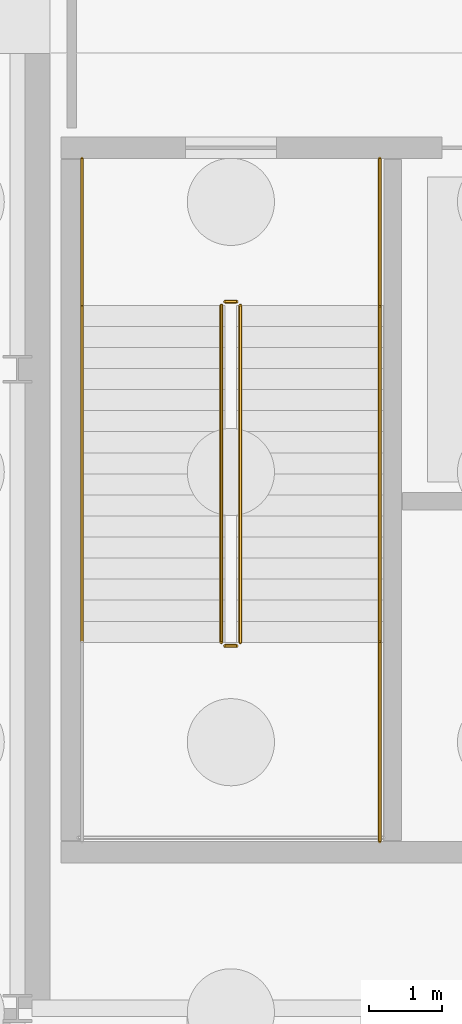
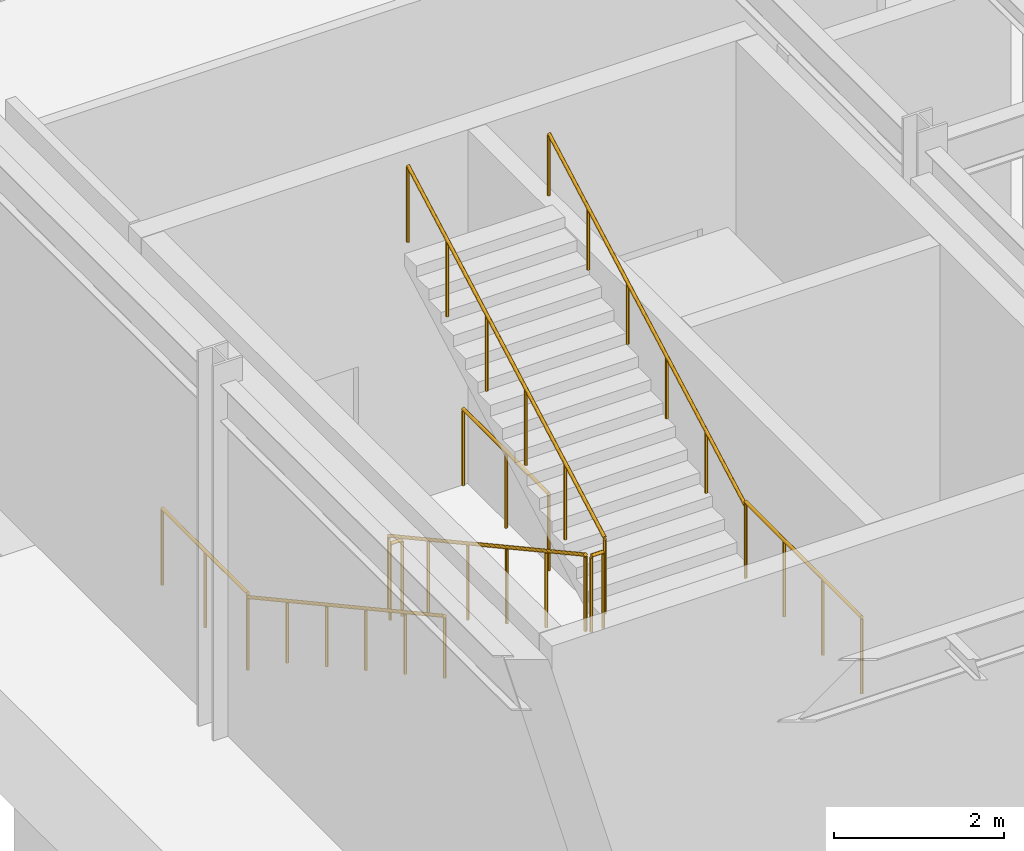
# One storey, part 40 of 48: 9 railings.
"""IFC4 building model written with IfcOpenShell, lengths in metres."""

from ifc_helpers import new_model, si_unit, direction, frame, origin, origin_2d, place, context, subcontext, project, spatial, circle, extrude, material, layer, layer_set, type_object, element, save


model = new_model("IFC4")

# Units and contexts
model_context = context("Model", 3, precision=1e-05, world=origin(), true_north=direction((0.0, 1.0)))
body_context = subcontext(model_context, "Body", "Model", "MODEL_VIEW")
ifc_project = project(units=[si_unit("LENGTHUNIT", "METRE"), si_unit("AREAUNIT", "SQUARE_METRE"), si_unit("VOLUMEUNIT", "CUBIC_METRE"), si_unit("PLANEANGLEUNIT", "RADIAN"), si_unit("MASSUNIT", "GRAM", prefix="KILO")], contexts=[model_context])

# Site, building, storey
site_placement = place(None, origin())
site = spatial("IfcSite", under=ifc_project, at=site_placement, CompositionType="ELEMENT")
building_placement = place(site_placement, origin())
building = spatial("IfcBuilding", under=site, at=building_placement, Name="Sarnbrook Museum", CompositionType="ELEMENT")
storey_placement = place(building_placement, frame((0.0, 0.0, -5.39990234375)))
storey = spatial("IfcBuildingStorey", under=building, at=storey_placement, Name="B1", CompositionType="ELEMENT", Elevation=-5.39990234375)

# Railings
ifc_material = material(Name="Brushed Stainless Steel Grade 316", Category="steel")
ifc_layer_1 = layer(ifc_material, 0.050048828125)
ifc_layer_set_1 = layer_set([ifc_layer_1], Name="Brushed Stainless Steel Grade 316")
railing_type_1 = type_object("IfcRailingType", Name="Guard_Int1120", PredefinedType="BALUSTRADE", material=ifc_layer_set_1)
railing_1_placement = place(storey_placement, frame((16.409912109375, 48.8798828125, 0.15869140625)))
element("IfcRailing", 1, at=railing_1_placement, inside=storey, type_object=railing_type_1, Name="B1 ST5 stair guard 1", PredefinedType="BALUSTRADE", context=body_context, shape_type="SweptSolid", body=[
    extrude(circle(Radius=0.02392578125, at=origin_2d()), frame((0.0, 0.0, 1.09619140625), z_axis=(0.0, -0.877067103421, 0.480367875796), x_axis=(1.0, 0.0, 0.0)), (0.0, 0.0, 1.0), 5.290283203125),
    extrude(circle(Radius=0.02099609375, at=origin_2d()), origin(), (0.0, 0.0, 1.0), 1.072021484375),
    extrude(circle(Radius=0.02099609375, at=origin_2d()), frame((0.0, -0.927978515625, 0.50830078125)), (0.0, 0.0, 1.0), 1.072021484375),
    extrude(circle(Radius=0.02099609375, at=origin_2d()), frame((0.0, -1.85595703125, 1.0166015625)), (0.0, 0.0, 1.0), 1.072021484375),
    extrude(circle(Radius=0.02099609375, at=origin_2d()), frame((0.0, -2.783935546875, 1.524658203125)), (0.0, 0.0, 1.0), 1.072021484375),
    extrude(circle(Radius=0.02099609375, at=origin_2d()), frame((0.0, -3.7119140625, 2.032958984375)), (0.0, 0.0, 1.0), 1.072021484375),
    extrude(circle(Radius=0.02099609375, at=origin_2d()), frame((0.0, -4.639892578125, 2.541259765625)), (0.0, 0.0, 1.0), 1.072021484375),
])
railing_2_placement = place(storey_placement, frame((16.4599609375, 44.18994140625, 2.699951171875)))
element("IfcRailing", 2, at=railing_2_placement, inside=storey, type_object=railing_type_1, Name="B1 ST5 stair guard 2", PredefinedType="BALUSTRADE", context=body_context, shape_type="SweptSolid", body=[
    extrude(circle(Radius=0.02392578125, at=origin_2d()), frame((0.0, 0.0, 1.09619140625), z_axis=(1.0, 0.0, 0.0), x_axis=(0.0, 1.0, 0.0)), (0.0, 0.0, 1.0), 0.16015625),
    extrude(circle(Radius=0.02099609375, at=origin_2d()), origin(), (0.0, 0.0, 1.0), 1.072021484375),
    extrude(circle(Radius=0.02099609375, at=origin_2d()), frame((0.16015625, 0.0, 0.0)), (0.0, 0.0, 1.0), 1.072021484375),
])
railing_3_placement = place(storey_placement, frame((18.590087890625, 44.239990234375, 2.699951171875)))
element("IfcRailing", 3, at=railing_3_placement, inside=storey, type_object=railing_type_1, Name="B1 ST5 stair guard 4", PredefinedType="BALUSTRADE", context=body_context, shape_type="SweptSolid", body=[
    extrude(circle(Radius=0.02392578125, at=origin_2d()), frame((0.0, 0.0, 1.09619140625), z_axis=(0.0, -1.0, 0.0), x_axis=(1.0, 0.0, 0.0)), (0.0, 0.0, 1.0), 2.739990234375),
    extrude(circle(Radius=0.02099609375, at=origin_2d()), origin(), (0.0, 0.0, 1.0), 1.072021484375),
    extrude(circle(Radius=0.02099609375, at=origin_2d()), frame((0.0, -0.913330078125, 0.0)), (0.0, 0.0, 1.0), 1.072021484375),
    extrude(circle(Radius=0.02099609375, at=origin_2d()), frame((0.0, -1.82666015625, 0.0)), (0.0, 0.0, 1.0), 1.072021484375),
    extrude(circle(Radius=0.02099609375, at=origin_2d()), frame((0.0, -2.739990234375, 0.0)), (0.0, 0.0, 1.0), 1.072021484375),
])
railing_4_placement = place(storey_placement, frame((16.669921875, 44.239990234375, 2.858642578125)))
element("IfcRailing", 4, at=railing_4_placement, inside=storey, type_object=railing_type_1, Name="B1 ST5 stair guard 6", PredefinedType="BALUSTRADE", context=body_context, shape_type="SweptSolid", body=[
    extrude(circle(Radius=0.02392578125, at=origin_2d()), frame((0.0, 0.0, 1.09619140625), z_axis=(0.0, 0.877067103421, 0.480367875796), x_axis=(-1.0, 0.0, 0.0)), (0.0, 0.0, 1.0), 5.290283203125),
    extrude(circle(Radius=0.02099609375, at=origin_2d()), origin(), (0.0, 0.0, 1.0), 1.072021484375),
    extrude(circle(Radius=0.02099609375, at=origin_2d()), frame((0.0, 0.927978515625, 0.50830078125)), (0.0, 0.0, 1.0), 1.072021484375),
    extrude(circle(Radius=0.02099609375, at=origin_2d()), frame((0.0, 1.85595703125, 1.0166015625)), (0.0, 0.0, 1.0), 1.072021484375),
    extrude(circle(Radius=0.02099609375, at=origin_2d()), frame((0.0, 2.783935546875, 1.524658203125)), (0.0, 0.0, 1.0), 1.072021484375),
    extrude(circle(Radius=0.02099609375, at=origin_2d()), frame((0.0, 3.7119140625, 2.032958984375)), (0.0, 0.0, 1.0), 1.072021484375),
    extrude(circle(Radius=0.02099609375, at=origin_2d()), frame((0.0, 4.639892578125, 2.541259765625)), (0.0, 0.0, 1.0), 1.072021484375),
])
railing_5_placement = place(storey_placement, frame((16.4599609375, 48.929931640625, 0.0)))
element("IfcRailing", 5, at=railing_5_placement, inside=storey, type_object=railing_type_1, Name="B1 ST5 stair guard 7", PredefinedType="BALUSTRADE", context=body_context, shape_type="SweptSolid", body=[
    extrude(circle(Radius=0.02392578125, at=origin_2d()), frame((0.0, 0.0, 1.09619140625), z_axis=(1.0, 0.0, 0.0), x_axis=(0.0, 1.0, 0.0)), (0.0, 0.0, 1.0), 0.16015625),
    extrude(circle(Radius=0.02099609375, at=origin_2d()), origin(), (0.0, 0.0, 1.0), 1.072021484375),
    extrude(circle(Radius=0.02099609375, at=origin_2d()), frame((0.16015625, 0.0, 0.0)), (0.0, 0.0, 1.0), 1.072021484375),
])
for number, where, name in (
    (6, (14.489990234375, 50.89990234375, 0.0), "B1 ST5 stair guard 8"),
    (7, (18.590087890625, 50.89990234375, 0.0), "B1 ST5 stair guard 9"),
):
    element("IfcRailing", number, at=place(storey_placement, frame(where)), inside=storey, type_object=railing_type_1, Name=name, PredefinedType="BALUSTRADE", context=body_context, shape_type="SweptSolid", body=[
        extrude(circle(Radius=0.02392578125, at=origin_2d()), frame((0.0, 0.0, 1.09619140625), z_axis=(0.0, -1.0, 0.0), x_axis=(1.0, 0.0, 0.0)), (0.0, 0.0, 1.0), 2.02001953125),
        extrude(circle(Radius=0.02099609375, at=origin_2d()), origin(), (0.0, 0.0, 1.0), 1.072021484375),
        extrude(circle(Radius=0.02099609375, at=origin_2d()), frame((0.0, -1.010009765625, 0.0)), (0.0, 0.0, 1.0), 1.072021484375),
        extrude(circle(Radius=0.02099609375, at=origin_2d()), frame((0.0, -2.02001953125, 0.0)), (0.0, 0.0, 1.0), 1.072021484375),
    ])
ifc_layer_2 = layer(ifc_material, 0.048095703125)
ifc_layer_set_2 = layer_set([ifc_layer_2], Name="Brushed Stainless Steel Grade 316")
railing_type_2 = type_object("IfcRailingType", Name="Handrail_920", PredefinedType="HANDRAIL", material=ifc_layer_set_2)
railing_6_placement = place(storey_placement, frame((14.489990234375, 48.8798828125, 0.15869140625)))
element("IfcRailing", 8, at=railing_6_placement, inside=storey, type_object=railing_type_2, Name="B1 ST5 stair handrail 1", PredefinedType="HANDRAIL", context=body_context, shape_type="SweptSolid", body=[
    extrude(circle(Radius=0.02392578125, at=origin_2d()), frame((0.0, 0.0, 0.8857421875), z_axis=(0.0, -0.877067103421, 0.480367875796), x_axis=(1.0, 0.0, 0.0)), (0.0, 0.0, 1.0), 5.290283203125),
    extrude(circle(Radius=0.02099609375, at=origin_2d()), origin(), (0.0, 0.0, 1.0), 0.86181640625),
    extrude(circle(Radius=0.02099609375, at=origin_2d()), frame((0.0, -0.927978515625, 0.50830078125)), (0.0, 0.0, 1.0), 0.86181640625),
    extrude(circle(Radius=0.02099609375, at=origin_2d()), frame((0.0, -1.85595703125, 1.0166015625)), (0.0, 0.0, 1.0), 0.86181640625),
    extrude(circle(Radius=0.02099609375, at=origin_2d()), frame((0.0, -2.783935546875, 1.524658203125)), (0.0, 0.0, 1.0), 0.86181640625),
    extrude(circle(Radius=0.02099609375, at=origin_2d()), frame((0.0, -3.7119140625, 2.032958984375)), (0.0, 0.0, 1.0), 0.86181640625),
    extrude(circle(Radius=0.02099609375, at=origin_2d()), frame((0.0, -4.639892578125, 2.541259765625)), (0.0, 0.0, 1.0), 0.86181640625),
])
railing_7_placement = place(storey_placement, frame((18.590087890625, 44.239990234375, 2.858642578125)))
element("IfcRailing", 9, at=railing_7_placement, inside=storey, type_object=railing_type_2, Name="B1 ST5 stair handrail 2", PredefinedType="HANDRAIL", context=body_context, shape_type="SweptSolid", body=[
    extrude(circle(Radius=0.02392578125, at=origin_2d()), frame((0.0, 0.0, 0.8857421875), z_axis=(0.0, 0.877067103421, 0.480367875796), x_axis=(-1.0, 0.0, 0.0)), (0.0, 0.0, 1.0), 5.290283203125),
    extrude(circle(Radius=0.02099609375, at=origin_2d()), origin(), (0.0, 0.0, 1.0), 0.86181640625),
    extrude(circle(Radius=0.02099609375, at=origin_2d()), frame((0.0, 0.927978515625, 0.50830078125)), (0.0, 0.0, 1.0), 0.86181640625),
    extrude(circle(Radius=0.02099609375, at=origin_2d()), frame((0.0, 1.85595703125, 1.0166015625)), (0.0, 0.0, 1.0), 0.86181640625),
    extrude(circle(Radius=0.02099609375, at=origin_2d()), frame((0.0, 2.783935546875, 1.524658203125)), (0.0, 0.0, 1.0), 0.86181640625),
    extrude(circle(Radius=0.02099609375, at=origin_2d()), frame((0.0, 3.7119140625, 2.032958984375)), (0.0, 0.0, 1.0), 0.86181640625),
    extrude(circle(Radius=0.02099609375, at=origin_2d()), frame((0.0, 4.639892578125, 2.541259765625)), (0.0, 0.0, 1.0), 0.86181640625),
])

save(model, "model.ifc")
